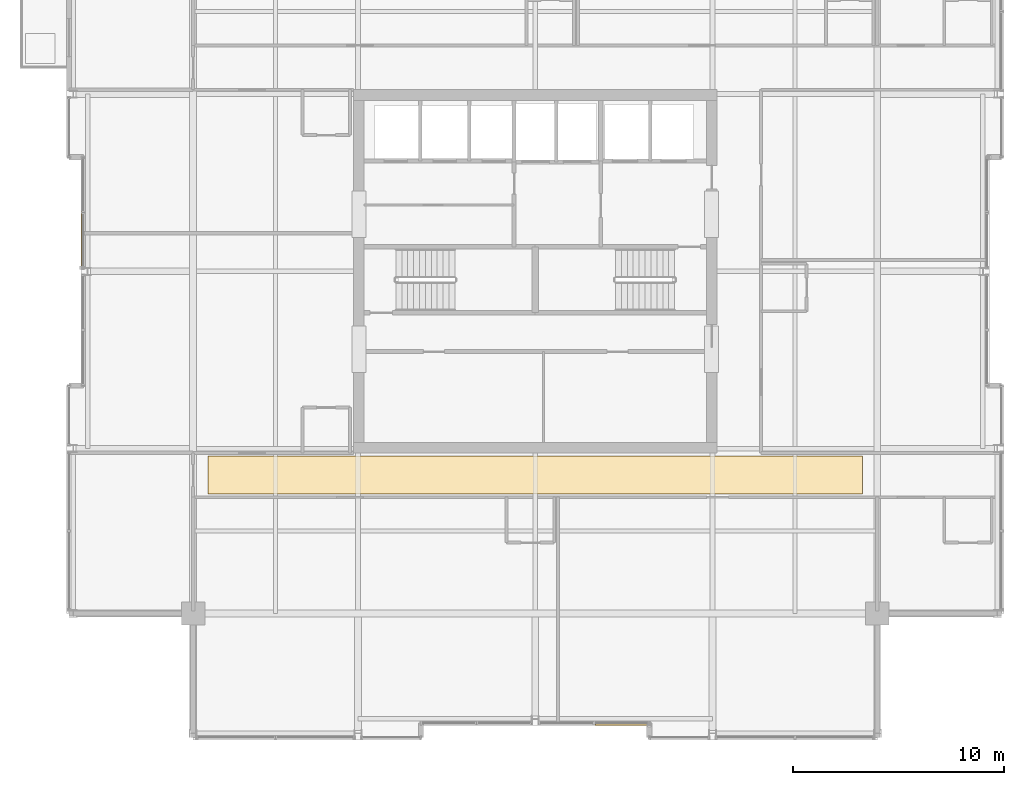
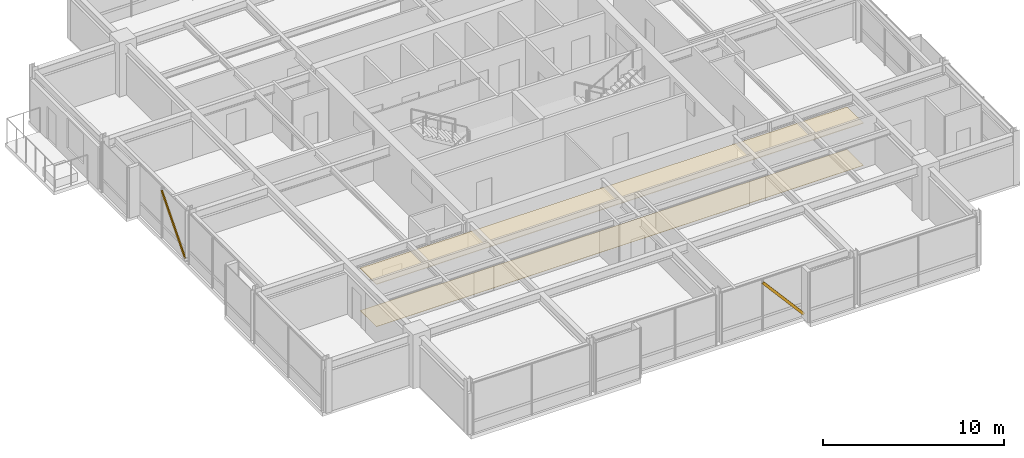
# One storey, part 31 of 33: 2 coverings, 2 shading devices.
"""IFC4 building model written with IfcOpenShell, lengths in metres."""

from ifc_helpers import new_model, si_unit, direction, frame, origin, origin_2d, place, context, subcontext, project, spatial, polyline, hollow_rectangle, outline, extrude, material, layer, layer_set, material_profile, profile_set, type_object, element, save


model = new_model("IFC4")

# Units and contexts
model_context = context("Model", 3, precision=1e-05, world=origin(), true_north=direction((0.0, 1.0)))
body_context = subcontext(model_context, "Body", "Model", "MODEL_VIEW")
ifc_project = project(units=[si_unit("LENGTHUNIT", "METRE"), si_unit("AREAUNIT", "SQUARE_METRE"), si_unit("VOLUMEUNIT", "CUBIC_METRE"), si_unit("PLANEANGLEUNIT", "RADIAN"), si_unit("MASSUNIT", "GRAM", prefix="KILO")], contexts=[model_context])

# Site, building, storey
site_placement = place(None, origin())
site = spatial("IfcSite", under=ifc_project, at=site_placement, CompositionType="ELEMENT")
building_placement = place(site_placement, origin())
building = spatial("IfcBuilding", under=site, at=building_placement, Name="Drelvath Grand Hotel", CompositionType="ELEMENT")
storey_placement = place(building_placement, frame((0.0, 0.0, 279.60009765625)))
storey = spatial("IfcBuildingStorey", under=building, at=storey_placement, Name="L73", CompositionType="ELEMENT", Elevation=279.60009765625)

# Shading devices
ifc_material_1 = material(Name="Platinum-Mist Anodised Aluminium", Category="aluminium")
ifc_material_profile = material_profile(ifc_material_1, hollow_rectangle(XDim=0.06494140625, YDim=0.159912109375, WallThickness=0.00390625, at=origin_2d()), Name="HSS160X65X4")
ifc_profile_set = profile_set([ifc_material_profile], Name="Platinum-Mist Anodised Aluminium")
shading_device_type = type_object("IfcShadingDeviceType", Name="Diagonal Solar Fin Platinum Anodised HSS160X65X4", PredefinedType="USERDEFINED", material=ifc_profile_set)
shading_device_1_placement = place(storey_placement, frame((-21.47998046875, 27.169921875, 0.179931640625), z_axis=(0.0, 0.653354613196, 0.757052012358), x_axis=(-1.0, 0.0, 0.0)))
element("IfcShadingDevice", 1, at=shading_device_1_placement, inside=storey, type_object=shading_device_type, Name="L73 Diagonal Anodised Fin CW05-L73-WM2", ObjectType="FIN", PredefinedType="USERDEFINED", context=body_context, shape_type="SweptSolid", body=[
    extrude(hollow_rectangle(XDim=0.06494140625, YDim=0.159912109375, WallThickness=0.00390625, at=origin_2d()), origin(), (0.0, 0.0, 1.0), 4.00244140625),
])
shading_device_2_placement = place(storey_placement, frame((5.39990234375, 5.52001953125, 0.179931640625), z_axis=(-0.65331965119, 0.0, 0.757082184026), x_axis=(0.0, -1.0, 0.0)))
element("IfcShadingDevice", 2, at=shading_device_2_placement, inside=storey, type_object=shading_device_type, Name="L73 Diagonal Anodised Fin CW05-L73-SM2", ObjectType="FIN", PredefinedType="USERDEFINED", context=body_context, shape_type="SweptSolid", body=[
    extrude(hollow_rectangle(XDim=0.06494140625, YDim=0.159912109375, WallThickness=0.00390625, at=origin_2d()), origin(), (0.0, 0.0, 1.0), 4.002197265625),
])

# Coverings
ifc_material_2 = material(Name="Woven Wool Broadloom Carpet")
ifc_layer_1 = layer(ifc_material_2, 0.01806640625)
ifc_layer_set_1 = layer_set([ifc_layer_1], Name="Woven Wool Broadloom Carpet")
covering_type_1 = type_object("IfcCoveringType", Name="Hospitality Broadloom Carpet 18", PredefinedType="FLOORING", material=ifc_layer_set_1)
covering_1_placement = place(storey_placement, origin())
element("IfcCovering", 3, at=covering_1_placement, inside=storey, type_object=covering_type_1, Name="L73 Upper Gallery Carpet", PredefinedType="FLOORING", context=body_context, shape_type="SweptSolid", body=[
    extrude(outline(polyline([(15.5, 16.449951171875), (15.5, 18.25), (-15.5, 18.25), (-15.5, 16.449951171875), (15.5, 16.449951171875)])), origin(), (0.0, 0.0, 1.0), 0.017822265625),
])
ifc_material_3 = material(Name="Anodised Aluminium Alloy", Category="aluminium")
ifc_layer_2 = layer(ifc_material_3, 0.0400390625)
ifc_layer_set_2 = layer_set([ifc_layer_2], Name="Anodised Aluminium Alloy")
covering_type_2 = type_object("IfcCoveringType", Name="Perforated Metal Corridor Ceiling 40", PredefinedType="CEILING", material=ifc_layer_set_2)
covering_2_placement = place(storey_placement, frame((0.0, 0.0, 2.83984375)))
element("IfcCovering", 4, at=covering_2_placement, inside=storey, type_object=covering_type_2, Name="L73 Upper Gallery Ceiling", PredefinedType="CEILING", context=body_context, shape_type="SweptSolid", body=[
    extrude(outline(polyline([(15.5, 16.449951171875), (15.5, 18.25), (-15.5, 18.25), (-15.5, 16.449951171875), (15.5, 16.449951171875)])), origin(), (0.0, 0.0, 1.0), 0.0400390625),
])

save(model, "model.ifc")
